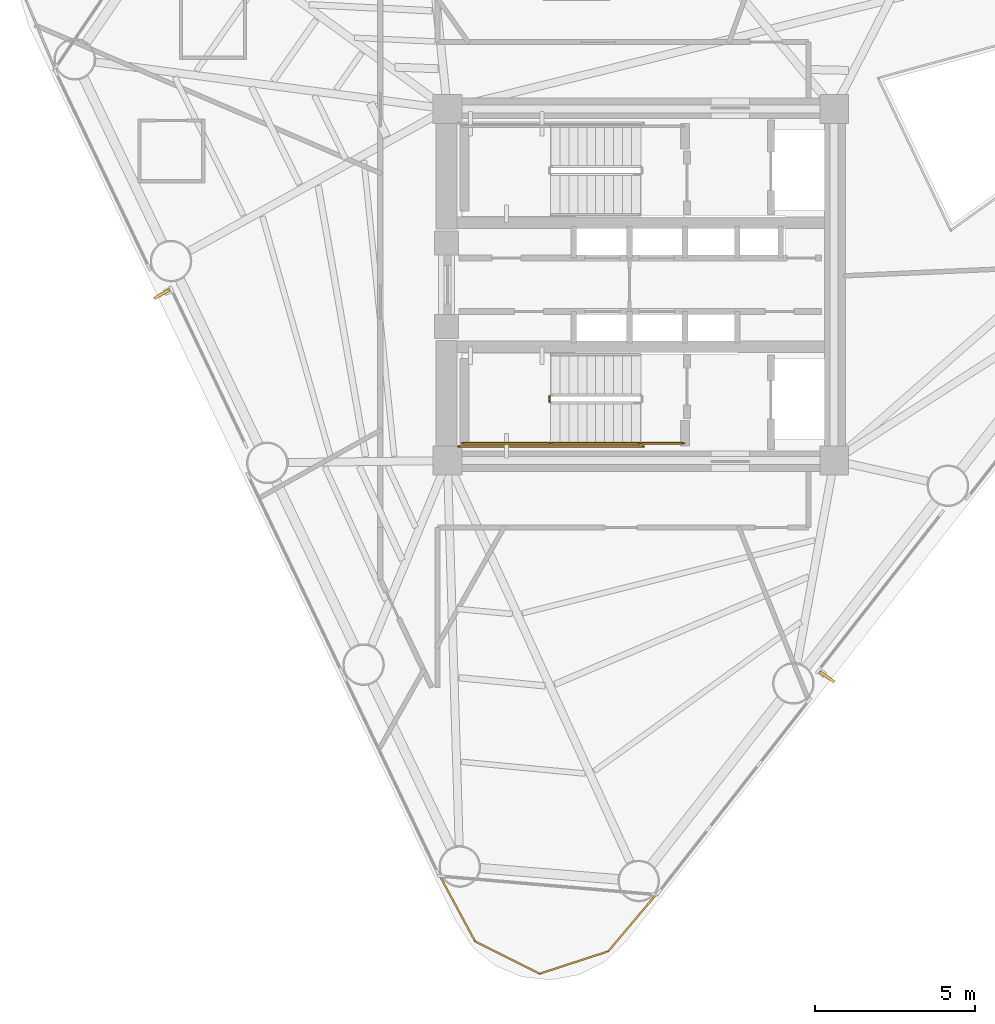
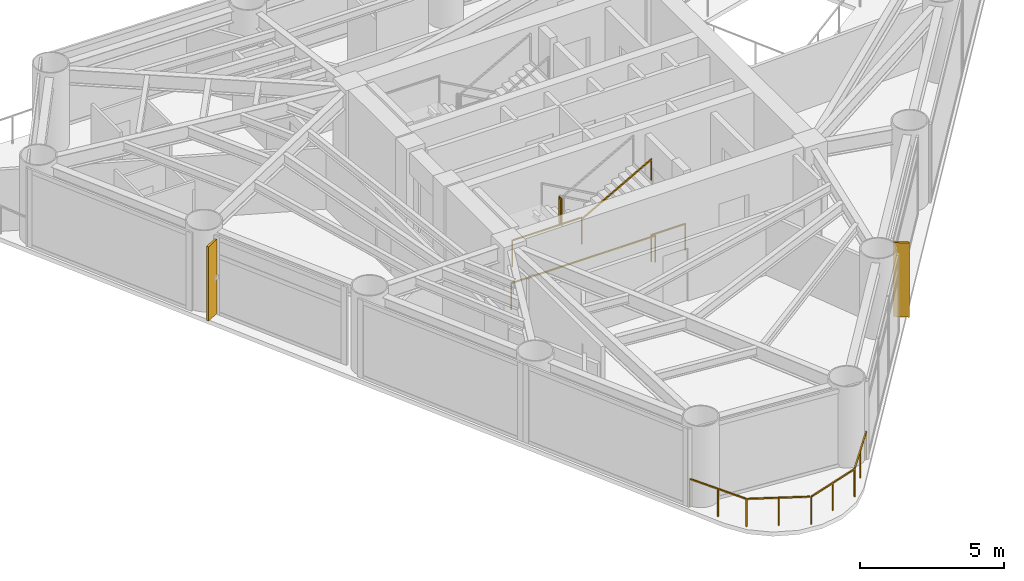
# One storey, part 8 of 10: 6 railings, 2 shading devices.
"""IFC4 building model written with IfcOpenShell, lengths in metres."""

from ifc_helpers import new_model, si_unit, direction, frame, origin, origin_2d, place, context, subcontext, project, spatial, rectangle, extrude, source, transform, mapped, material, material_profile, profile_set, type_object, element, save


model = new_model("IFC4")

# Units and contexts
model_context = context("Model", 3, precision=1e-05, world=origin(), true_north=direction((0.0, 1.0)))
body_context = subcontext(model_context, "Body", "Model", "MODEL_VIEW")
ifc_project = project(units=[si_unit("LENGTHUNIT", "METRE"), si_unit("AREAUNIT", "SQUARE_METRE"), si_unit("VOLUMEUNIT", "CUBIC_METRE"), si_unit("PLANEANGLEUNIT", "RADIAN"), si_unit("MASSUNIT", "GRAM", prefix="KILO")], contexts=[model_context])

# Site, building, storey
site_placement = place(None, origin())
site = spatial("IfcSite", under=ifc_project, at=site_placement, CompositionType="ELEMENT")
building_placement = place(site_placement, origin())
building = spatial("IfcBuilding", under=site, at=building_placement, Name="Yunling Apex Tower", CompositionType="ELEMENT")
storey_placement = place(building_placement, frame((0.0, 0.0, 143.300048828125)))
storey = spatial("IfcBuildingStorey", under=building, at=storey_placement, Name="L35", CompositionType="ELEMENT", Elevation=143.300048828125)

# Railings
ifc_material_1 = material(Name="Bronze anodised aluminium", Category="aluminium")
railing_type_1 = type_object("IfcRailingType", Name="RL-BAL-1200", PredefinedType="BALUSTRADE", material=ifc_material_1)
railing_1_placement = place(storey_placement, frame((0.4794921875, -19.07958984375, 0.0)))
element("IfcRailing", 1, at=railing_1_placement, inside=storey, type_object=railing_type_1, Name="RL-CRNSILL-L35-3", PredefinedType="BALUSTRADE", context=body_context, shape_type="SweptSolid", body=[
    extrude(rectangle(XDim=0.0439453125, YDim=0.0439453125, at=origin_2d()), origin(), (0.0, 0.0, 1.0), 1.199951171875),
    extrude(rectangle(XDim=0.0439453125, YDim=0.0439453125, at=origin_2d()), frame((-1.49853515625, -1.775390625, 0.0)), (0.0, 0.0, 1.0), 1.199951171875),
    extrude(rectangle(XDim=0.050048828125, YDim=0.050048828125, at=origin_2d()), frame((-0.024658203125, -0.029296875, 1.1748046875), z_axis=(-0.645009043245, -0.764174936865, 0.0), x_axis=(0.764174936865, -0.645009043245, 0.0)), (0.0, 0.0, 1.0), 2.24658203125),
    extrude(rectangle(XDim=0.0439453125, YDim=0.0439453125, at=origin_2d()), frame((-0.749267578125, -0.8876953125, 0.0)), (0.0, 0.0, 1.0), 1.14599609375),
    extrude(rectangle(XDim=0.0439453125, YDim=0.0439453125, at=origin_2d()), frame((-3.640380859375, -2.473876953125, 0.0)), (0.0, 0.0, 1.0), 1.199951171875),
    extrude(rectangle(XDim=0.050048828125, YDim=0.050048828125, at=origin_2d()), frame((-1.534912109375, -1.787353515625, 1.1748046875), z_axis=(-0.950722201045, -0.310044023389, 0.0), x_axis=(0.310044023389, -0.950722201045, 0.0)), (0.0, 0.0, 1.0), 2.17626953125),
    extrude(rectangle(XDim=0.0439453125, YDim=0.0439453125, at=origin_2d()), frame((-2.5693359375, -2.12451171875, 0.0)), (0.0, 0.0, 1.0), 1.14599609375),
    extrude(rectangle(XDim=0.0439453125, YDim=0.0439453125, at=origin_2d()), frame((-5.662841796875, -1.464111328125, 0.0)), (0.0, 0.0, 1.0), 1.199951171875),
    extrude(rectangle(XDim=0.050048828125, YDim=0.050048828125, at=origin_2d()), frame((-3.674560546875, -2.456787109375, 1.1748046875), z_axis=(-0.894686244893, 0.446695112129, 0.0), x_axis=(-0.446695112129, -0.894686244893, 0.0)), (0.0, 0.0, 1.0), 2.183837890625),
    extrude(rectangle(XDim=0.0439453125, YDim=0.0439453125, at=origin_2d()), frame((-4.651611328125, -1.968994140625, 0.0)), (0.0, 0.0, 1.0), 1.14599609375),
    extrude(rectangle(XDim=0.0439453125, YDim=0.0439453125, at=origin_2d()), frame((-6.76416015625, 0.580810546875, 0.0)), (0.0, 0.0, 1.0), 1.199951171875),
    extrude(rectangle(XDim=0.050048828125, YDim=0.050048828125, at=origin_2d()), frame((-5.680908203125, -1.430419921875, 1.1748046875), z_axis=(-0.474168772438, 0.880433969838, 0.0), x_axis=(-0.880433969838, -0.474168772438, 0.0)), (0.0, 0.0, 1.0), 2.245849609375),
    extrude(rectangle(XDim=0.0439453125, YDim=0.0439453125, at=origin_2d()), frame((-6.21337890625, -0.441650390625, 0.0)), (0.0, 0.0, 1.0), 1.14599609375),
])
ifc_material_2 = material(Name="Steel Q355B", Category="steel")
railing_type_2 = type_object("IfcRailingType", Name="RL-GRD-1150", PredefinedType="GUARDRAIL", material=ifc_material_2)
railing_2_placement = place(storey_placement, frame((-2.860107421875, -3.5, 1.724853515625)))
element("IfcRailing", 2, at=railing_2_placement, inside=storey, type_object=railing_type_2, Name="L35 ST-2 stair guard 2", PredefinedType="GUARDRAIL", context=body_context, shape_type="SweptSolid", body=[
    extrude(rectangle(XDim=0.0439453125, YDim=0.0439453125, at=origin_2d()), origin(), (0.0, 0.0, 1.0), 1.14990234375),
    extrude(rectangle(XDim=0.0439453125, YDim=0.0439453125, at=origin_2d()), frame((0.0, -0.14990234375, 0.0)), (0.0, 0.0, 1.0), 1.14990234375),
    extrude(rectangle(XDim=0.050048828125, YDim=0.050048828125, at=origin_2d()), frame((0.0, -0.038330078125, 1.125), z_axis=(0.0, -1.0, 0.0), x_axis=(1.0, 0.0, 0.0)), (0.0, 0.0, 1.0), 0.0732421875),
])
railing_3_placement = place(storey_placement, frame((-2.81005859375, -4.9599609375, 1.724853515625)))
element("IfcRailing", 3, at=railing_3_placement, inside=storey, type_object=railing_type_2, Name="L35 ST-2 stair guard 3", PredefinedType="GUARDRAIL", context=body_context, shape_type="SweptSolid", body=[
    extrude(rectangle(XDim=0.0439453125, YDim=0.0439453125, at=origin_2d()), origin(), (0.0, 0.0, 1.0), 1.14990234375),
    extrude(rectangle(XDim=0.0439453125, YDim=0.0439453125, at=origin_2d()), frame((-2.7900390625, 0.0, 0.0)), (0.0, 0.0, 1.0), 1.14990234375),
    extrude(rectangle(XDim=0.050048828125, YDim=0.050048828125, at=origin_2d()), frame((-0.038330078125, 0.0, 1.125), z_axis=(-1.0, 0.0, 0.0), x_axis=(0.0, -1.0, 0.0)), (0.0, 0.0, 1.0), 2.71337890625),
])
railing_4_placement = place(storey_placement, frame((1.35009765625, -4.9599609375, 0.0)))
element("IfcRailing", 4, at=railing_4_placement, inside=storey, type_object=railing_type_2, Name="L35 ST-2 stair guard 6", PredefinedType="GUARDRAIL", context=body_context, shape_type="SweptSolid", body=[
    extrude(rectangle(XDim=0.0439453125, YDim=0.0439453125, at=origin_2d()), origin(), (0.0, 0.0, 1.0), 1.14990234375),
    extrude(rectangle(XDim=0.0439453125, YDim=0.0439453125, at=origin_2d()), frame((-1.360107421875, 0.0, 0.0)), (0.0, 0.0, 1.0), 1.14990234375),
    extrude(rectangle(XDim=0.050048828125, YDim=0.050048828125, at=origin_2d()), frame((-0.038330078125, 0.0, 1.125), z_axis=(-1.0, 0.0, 0.0), x_axis=(0.0, -1.0, 0.0)), (0.0, 0.0, 1.0), 1.283447265625),
])
railing_5_placement = place(storey_placement, frame((0.090087890625, -5.06005859375, 0.0)))
element("IfcRailing", 5, at=railing_5_placement, inside=storey, type_object=railing_type_2, Name="L35 ST-2 stair guard 7", PredefinedType="GUARDRAIL", context=body_context, shape_type="SweptSolid", body=[
    extrude(rectangle(XDim=0.0439453125, YDim=0.0439453125, at=origin_2d()), origin(), (0.0, 0.0, 1.0), 1.14990234375),
    extrude(rectangle(XDim=0.0439453125, YDim=0.0439453125, at=origin_2d()), frame((-5.7900390625, 0.0, 0.0)), (0.0, 0.0, 1.0), 1.14990234375),
    extrude(rectangle(XDim=0.050048828125, YDim=0.050048828125, at=origin_2d()), frame((-0.038330078125, 0.0, 1.125), z_axis=(-1.0, 0.0, 0.0), x_axis=(0.0, -1.0, 0.0)), (0.0, 0.0, 1.0), 5.71337890625),
])
ifc_material_3 = material(Name="Silver anodised aluminium", Category="aluminium")
railing_type_3 = type_object("IfcRailingType", Name="RL-HND-900", PredefinedType="HANDRAIL", material=ifc_material_3)
railing_6_placement = place(storey_placement, frame((-2.81005859375, -4.9599609375, 1.8818359375)))
element("IfcRailing", 6, at=railing_6_placement, inside=storey, type_object=railing_type_3, Name="L35 ST-2 stair handrail 2", PredefinedType="HANDRAIL", context=body_context, shape_type="SweptSolid", body=[
    extrude(rectangle(XDim=0.0439453125, YDim=0.0439453125, at=origin_2d()), origin(), (0.0, 0.0, 1.0), 0.919921875),
    extrude(rectangle(XDim=0.0439453125, YDim=0.0439453125, at=origin_2d()), frame((2.800048828125, 0.0, 1.568115234375)), (0.0, 0.0, 1.0), 0.919921875),
    extrude(rectangle(XDim=0.050048828125, YDim=0.050048828125, at=origin_2d()), frame((0.033447265625, 0.0, 0.91357421875), z_axis=(0.872494340497, 0.0, 0.48862421737), x_axis=(0.0, 1.0, 0.0)), (0.0, 0.0, 1.0), 3.132568359375),
])

# Shading devices
ifc_material_profile = material_profile(ifc_material_1, rectangle(XDim=0.0849609375, YDim=0.550048828125, at=origin_2d()))
ifc_profile_set = profile_set([ifc_material_profile], Name="Bronze anodised aluminium")
shading_device_type = type_object("IfcShadingDeviceType", Name="FN-BRZ-3", PredefinedType="USERDEFINED", material=ifc_profile_set)
shared_shape = source(origin(), body_context, "Body", "SweptSolid", [
    extrude(rectangle(XDim=0.0849609375, YDim=0.550048828125, at=origin_2d()), origin(), (0.0, 0.0, 1.0), 3.14990234375),
])
for number, where, z_axis, x_axis, name in (
    (7, (5.82763671875, -12.268310546875, 0.06005859375), (0.0, 0.0, 1.0), (0.563381859003, 0.826196635763, 0.0), "CW-L35-F1-B2-FIN-01"),
    (8, (-14.984375, -0.2939453125, 0.06005859375), (0.0, 0.0, 1.0), (0.488621241497, -0.872496007073, 0.0), "CW-L35-F3-B2-FIN-01"),
):
    element("IfcShadingDevice", number, at=place(storey_placement, frame(where, z_axis=z_axis, x_axis=x_axis)), inside=storey, type_object=shading_device_type, Name=name, ObjectType="FIN", PredefinedType="USERDEFINED", context=body_context, shape_type="MappedRepresentation", body=[
        mapped(shared_shape, transform((0.0, 0.0, 0.0), scale=1.0)),
    ])

save(model, "model.ifc")
